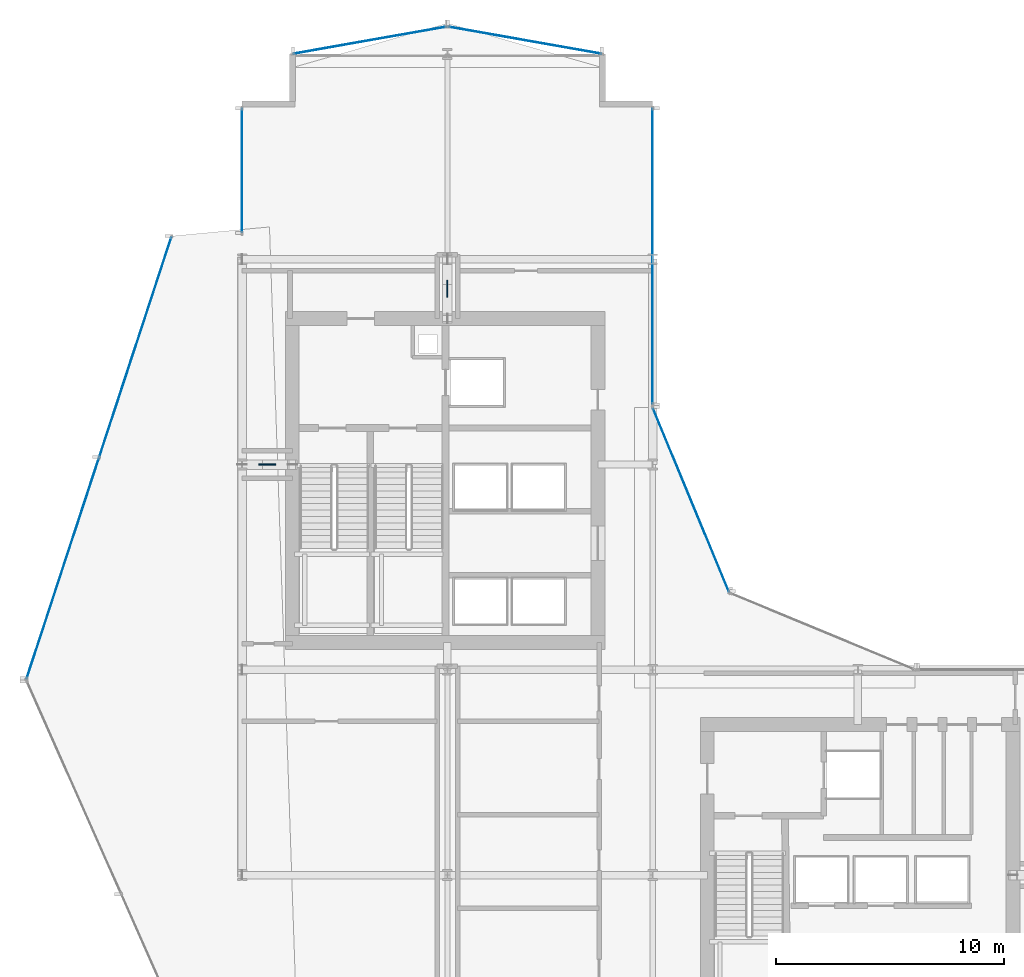
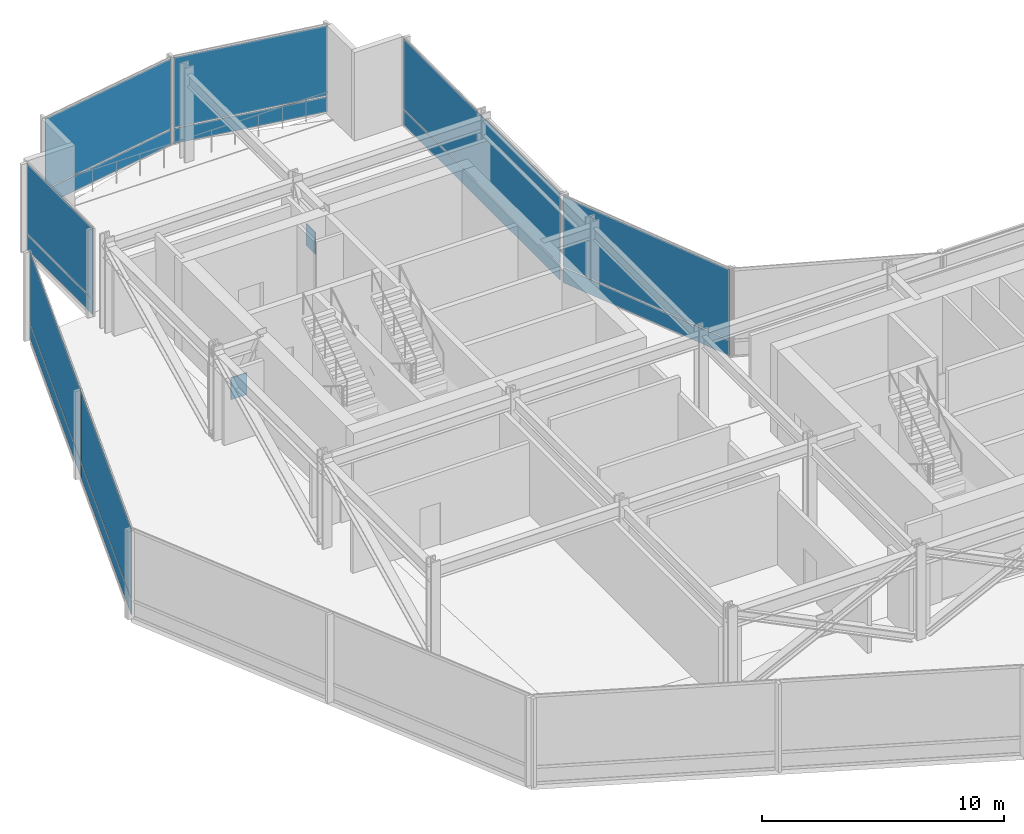
# One storey, part 30 of 42: 16 plates, 6 elements without a shape of their own.
"""IFC4 building model written with IfcOpenShell, lengths in metres."""

from ifc_helpers import new_model, si_unit, direction, frame, origin, origin_2d, place, context, subcontext, project, spatial, rectangle, extrude, material, layer, layer_set, type_object, element, aggregate, save


model = new_model("IFC4")

# Units and contexts
model_context = context("Model", 3, precision=1e-05, world=origin(), true_north=direction((0.0, 1.0)))
body_context = subcontext(model_context, "Body", "Model", "MODEL_VIEW")
ifc_project = project(units=[si_unit("LENGTHUNIT", "METRE"), si_unit("AREAUNIT", "SQUARE_METRE"), si_unit("VOLUMEUNIT", "CUBIC_METRE"), si_unit("PLANEANGLEUNIT", "RADIAN"), si_unit("MASSUNIT", "GRAM", prefix="KILO")], contexts=[model_context])

# Site, building, storey
site_placement = place(None, origin())
site = spatial("IfcSite", under=ifc_project, at=site_placement, CompositionType="ELEMENT")
building_placement = place(site_placement, origin())
building = spatial("IfcBuilding", under=site, at=building_placement, Name="Solvaryn Broadcast Tower", CompositionType="ELEMENT")
storey_placement = place(building_placement, frame((0.0, 0.0, 100.199951171875)))
storey = spatial("IfcBuildingStorey", under=building, at=storey_placement, Name="L24", CompositionType="ELEMENT", Elevation=100.199951171875)

# Curtain wall, plates
ifc_material_1 = material(Name="Aluminium and Terracotta Unitised Curtain Wall", Category="masonry")
ifc_layer_1 = layer(ifc_material_1, 0.199951171875)
ifc_layer_set_1 = layer_set([ifc_layer_1], Name="CW-SYS2-LOWMID")
curtain_wall_type = type_object("IfcCurtainWallType", Name="CW-SYS2-LOWMID", PredefinedType="NOTDEFINED", material=ifc_layer_set_1)
curtain_wall_1_placement = place(storey_placement, origin())
curtain_wall_1 = element("IfcCurtainWall", 1, at=curtain_wall_1_placement, inside=storey, type_object=curtain_wall_type, Name="L24 Curtain Wall DR1", PredefinedType="NOTDEFINED")
ifc_material_2 = material(Name="Kiln-Fired Architectural Terracotta Spandrel", Category="masonry")
ifc_layer_2 = layer(ifc_material_2, 0.048095703125)
ifc_layer_set_2 = layer_set([ifc_layer_2], Name="CW-PNL-TERRACOTTA")
plate_type_1 = type_object("IfcPlateType", Name="CW-PNL-TERRACOTTA", PredefinedType="CURTAIN_PANEL", material=ifc_layer_set_2)
plate_1_placement = place(storey_placement, frame((4.31640625, 41.1376953125, 0.06005859375), z_axis=(0.0, 0.0, 1.0), x_axis=(-0.311594044587, -0.950215318429, 0.0)))
plate_1 = element("IfcPlate", 2, at=plate_1_placement, type_object=plate_type_1, Name="CWS2 panel 1.1", PredefinedType="CURTAIN_PANEL", context=body_context, shape_type="SweptSolid", body=[
    extrude(rectangle(XDim=10.147705078125, YDim=0.028076171875, at=origin_2d()), origin(), (0.0, 0.0, 1.0), 0.760009765625),
])
plate_2_placement = place(storey_placement, frame((4.31640625, 41.1376953125, 0.8798828125), z_axis=(0.0, 0.0, 1.0), x_axis=(-0.311594044587, -0.950215318429, 0.0)))
plate_2 = element("IfcPlate", 3, at=plate_2_placement, type_object=plate_type_1, Name="CWS2 panel 1.2", PredefinedType="CURTAIN_PANEL", context=body_context, shape_type="SweptSolid", body=[
    extrude(rectangle(XDim=10.147705078125, YDim=0.028076171875, at=origin_2d()), origin(), (0.0, 0.0, 1.0), 3.530029296875),
])
plate_3_placement = place(storey_placement, frame((1.1357421875, 31.438232421875, 0.06005859375), z_axis=(0.0, 0.0, 1.0), x_axis=(-0.311594044587, -0.950215318429, 0.0)))
plate_3 = element("IfcPlate", 4, at=plate_3_placement, type_object=plate_type_1, Name="CWS2 panel 2.1", PredefinedType="CURTAIN_PANEL", context=body_context, shape_type="SweptSolid", body=[
    extrude(rectangle(XDim=10.147705078125, YDim=0.028076171875, at=origin_2d()), origin(), (0.0, 0.0, 1.0), 0.760009765625),
])
plate_4_placement = place(storey_placement, frame((1.1357421875, 31.438232421875, 0.8798828125), z_axis=(0.0, 0.0, 1.0), x_axis=(-0.311594044587, -0.950215318429, 0.0)))
plate_4 = element("IfcPlate", 5, at=plate_4_placement, type_object=plate_type_1, Name="CWS2 panel 2.2", PredefinedType="CURTAIN_PANEL", context=body_context, shape_type="SweptSolid", body=[
    extrude(rectangle(XDim=10.147705078125, YDim=0.028076171875, at=origin_2d()), origin(), (0.0, 0.0, 1.0), 3.530029296875),
])
aggregate(curtain_wall_1, [plate_1, plate_2, plate_3, plate_4])

curtain_wall_2_placement = place(storey_placement, origin())
curtain_wall_2 = element("IfcCurtainWall", 6, at=curtain_wall_2_placement, inside=storey, type_object=curtain_wall_type, Name="L24 Curtain Wall W2", PredefinedType="NOTDEFINED")
plate_5_placement = place(storey_placement, frame((9.0, 48.883056640625, 0.06005859375), z_axis=(0.0, 0.0, 1.0), x_axis=(0.0, 1.0, 0.0)))
plate_5 = element("IfcPlate", 7, at=plate_5_placement, type_object=plate_type_1, Name="CWS2 panel 1.1", PredefinedType="CURTAIN_PANEL", context=body_context, shape_type="SweptSolid", body=[
    extrude(rectangle(XDim=5.4140625, YDim=0.028076171875, at=origin_2d()), origin(), (0.0, 0.0, 1.0), 0.760009765625),
])
plate_6_placement = place(storey_placement, frame((9.0, 48.883056640625, 0.8798828125), z_axis=(0.0, 0.0, 1.0), x_axis=(0.0, 1.0, 0.0)))
plate_6 = element("IfcPlate", 8, at=plate_6_placement, type_object=plate_type_1, Name="CWS2 panel 1.2", PredefinedType="CURTAIN_PANEL", context=body_context, shape_type="SweptSolid", body=[
    extrude(rectangle(XDim=5.4140625, YDim=0.028076171875, at=origin_2d()), origin(), (0.0, 0.0, 1.0), 3.530029296875),
])
aggregate(curtain_wall_2, [plate_5, plate_6])

curtain_wall_3_placement = place(storey_placement, origin())
curtain_wall_3 = element("IfcCurtainWall", 9, at=curtain_wall_3_placement, inside=storey, type_object=curtain_wall_type, Name="L24 Curtain Wall IV", PredefinedType="NOTDEFINED")
plate_7_placement = place(storey_placement, frame((27.0, 45.125, 0.06005859375), z_axis=(0.0, 0.0, 1.0), x_axis=(0.0, -1.0, 0.0)))
plate_7 = element("IfcPlate", 10, at=plate_7_placement, type_object=plate_type_1, Name="CWS2 panel 1.1", PredefinedType="CURTAIN_PANEL", context=body_context, shape_type="SweptSolid", body=[
    extrude(rectangle(XDim=12.929931640625, YDim=0.028076171875, at=origin_2d()), origin(), (0.0, 0.0, 1.0), 0.760009765625),
])
plate_8_placement = place(storey_placement, frame((27.0, 45.125, 0.8798828125), z_axis=(0.0, 0.0, 1.0), x_axis=(0.0, -1.0, 0.0)))
plate_8 = element("IfcPlate", 11, at=plate_8_placement, type_object=plate_type_1, Name="CWS2 panel 1.2", PredefinedType="CURTAIN_PANEL", context=body_context, shape_type="SweptSolid", body=[
    extrude(rectangle(XDim=12.929931640625, YDim=0.028076171875, at=origin_2d()), origin(), (0.0, 0.0, 1.0), 3.530029296875),
])
aggregate(curtain_wall_3, [plate_7, plate_8])

curtain_wall_4_placement = place(storey_placement, origin())
curtain_wall_4 = element("IfcCurtainWall", 12, at=curtain_wall_4_placement, inside=storey, type_object=curtain_wall_type, Name="L24 Curtain Wall CN2", PredefinedType="NOTDEFINED")
plate_9_placement = place(storey_placement, frame((28.68408203125, 34.43408203125, 0.06005859375), z_axis=(0.0, 0.0, 1.0), x_axis=(-0.382646127145, 0.923894983957, 0.0)))
plate_9 = element("IfcPlate", 13, at=plate_9_placement, type_object=plate_type_1, Name="CWS2 panel 1.1", PredefinedType="CURTAIN_PANEL", context=body_context, shape_type="SweptSolid", body=[
    extrude(rectangle(XDim=8.681884765625, YDim=0.028076171875, at=origin_2d()), origin(), (0.0, 0.0, 1.0), 0.760009765625),
])
plate_10_placement = place(storey_placement, frame((28.68408203125, 34.43408203125, 0.8798828125), z_axis=(0.0, 0.0, 1.0), x_axis=(-0.382646127145, 0.923894983957, 0.0)))
plate_10 = element("IfcPlate", 14, at=plate_10_placement, type_object=plate_type_1, Name="CWS2 panel 1.2", PredefinedType="CURTAIN_PANEL", context=body_context, shape_type="SweptSolid", body=[
    extrude(rectangle(XDim=8.681884765625, YDim=0.028076171875, at=origin_2d()), origin(), (0.0, 0.0, 1.0), 3.530029296875),
])
aggregate(curtain_wall_4, [plate_9, plate_10])

curtain_wall_5_placement = place(storey_placement, origin())
curtain_wall_5 = element("IfcCurtainWall", 15, at=curtain_wall_5_placement, inside=storey, type_object=curtain_wall_type, Name="L24 Curtain Wall NT1", PredefinedType="NOTDEFINED")
plate_11_placement = place(storey_placement, frame((21.39990234375, 54.60009765625, 0.06005859375), z_axis=(0.0, 0.0, 1.0), x_axis=(-0.984783558819, 0.173785333901, 0.0)))
plate_11 = element("IfcPlate", 16, at=plate_11_placement, type_object=plate_type_1, Name="CWS2 panel 1.1", PredefinedType="CURTAIN_PANEL", context=body_context, shape_type="SweptSolid", body=[
    extrude(rectangle(XDim=6.78515625, YDim=0.028076171875, at=origin_2d()), origin(), (0.0, 0.0, 1.0), 0.760009765625),
])
plate_12_placement = place(storey_placement, frame((21.39990234375, 54.60009765625, 0.8798828125), z_axis=(0.0, 0.0, 1.0), x_axis=(-0.984783558819, 0.173785333901, 0.0)))
plate_12 = element("IfcPlate", 17, at=plate_12_placement, type_object=plate_type_1, Name="CWS2 panel 1.2", PredefinedType="CURTAIN_PANEL", context=body_context, shape_type="SweptSolid", body=[
    extrude(rectangle(XDim=6.78515625, YDim=0.028076171875, at=origin_2d()), origin(), (0.0, 0.0, 1.0), 3.530029296875),
])
aggregate(curtain_wall_5, [plate_11, plate_12])

curtain_wall_6_placement = place(storey_placement, origin())
curtain_wall_6 = element("IfcCurtainWall", 18, at=curtain_wall_6_placement, inside=storey, type_object=curtain_wall_type, Name="L24 Curtain Wall NT2", PredefinedType="NOTDEFINED")
plate_13_placement = place(storey_placement, frame((14.60009765625, 54.60009765625, 0.06005859375), z_axis=(0.0, 0.0, 1.0), x_axis=(-0.984783558819, -0.173785333901, 0.0)))
plate_13 = element("IfcPlate", 19, at=plate_13_placement, type_object=plate_type_1, Name="CWS2 panel 1.1", PredefinedType="CURTAIN_PANEL", context=body_context, shape_type="SweptSolid", body=[
    extrude(rectangle(XDim=6.78515625, YDim=0.028076171875, at=origin_2d()), origin(), (0.0, 0.0, 1.0), 0.760009765625),
])
plate_14_placement = place(storey_placement, frame((14.60009765625, 54.60009765625, 0.8798828125), z_axis=(0.0, 0.0, 1.0), x_axis=(-0.984783558819, -0.173785333901, 0.0)))
plate_14 = element("IfcPlate", 20, at=plate_14_placement, type_object=plate_type_1, Name="CWS2 panel 1.2", PredefinedType="CURTAIN_PANEL", context=body_context, shape_type="SweptSolid", body=[
    extrude(rectangle(XDim=6.78515625, YDim=0.028076171875, at=origin_2d()), origin(), (0.0, 0.0, 1.0), 3.530029296875),
])
aggregate(curtain_wall_6, [plate_13, plate_14])

# Plates
ifc_material_3 = material(Name="Steel ASTM A572 Grade 50", Category="steel")
ifc_layer_3 = layer(ifc_material_3, 0.050048828125)
ifc_layer_set_3 = layer_set([ifc_layer_3], Name="PL-GUSSET-50")
plate_type_2 = type_object("IfcPlateType", Name="PL-GUSSET-50", PredefinedType="SHEET", material=ifc_layer_set_3)
plate_15_placement = place(storey_placement, frame((10.10009765625, 36.0, 1.68505859375), z_axis=(0.0, 0.0, 1.0), x_axis=(1.0, 0.0, 0.0)))
element("IfcPlate", 21, at=plate_15_placement, inside=storey, type_object=plate_type_2, Name="L24 Outrigger X-Brace W X-Crossing Gusset Node Plate", PredefinedType="SHEET", context=body_context, shape_type="SweptSolid", body=[
    extrude(rectangle(XDim=0.75, YDim=0.050048828125, at=origin_2d()), origin(), (0.0, 0.0, 1.0), 1.10009765625),
])
plate_16_placement = place(storey_placement, frame((18.0, 43.699951171875, 1.68505859375), z_axis=(0.0, 0.0, 1.0), x_axis=(1.0, 0.0, 0.0)))
element("IfcPlate", 22, at=plate_16_placement, inside=storey, type_object=plate_type_2, Name="L24 Outrigger X-Brace N X-Crossing Gusset Node Plate", PredefinedType="SHEET", context=body_context, shape_type="SweptSolid", body=[
    extrude(rectangle(XDim=0.050048828125, YDim=0.75, at=origin_2d()), origin(), (0.0, 0.0, 1.0), 1.10009765625),
])

save(model, "model.ifc")
